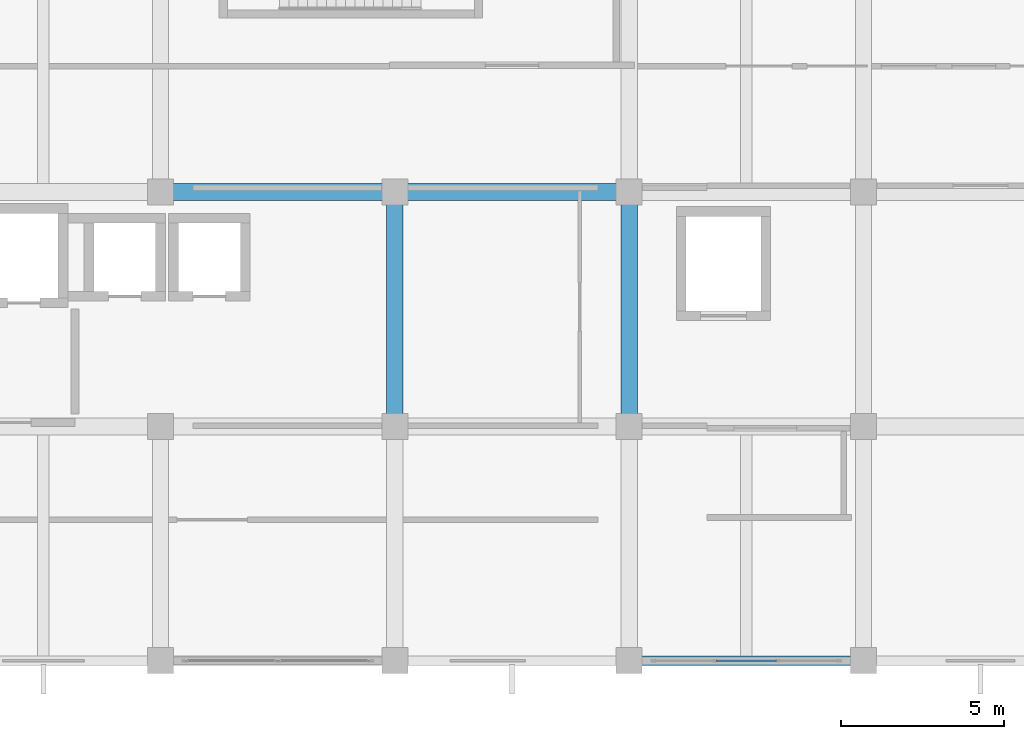
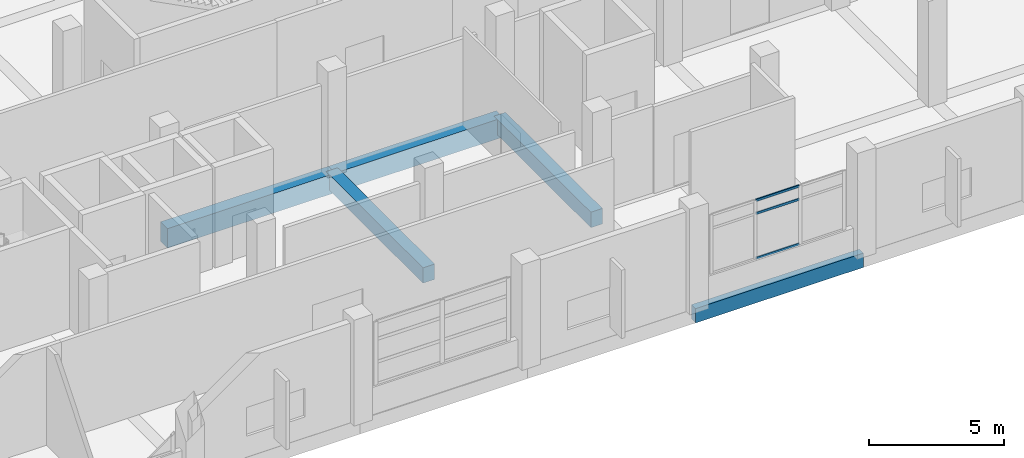
# One storey, part 35 of 140: 5 beams, 3 members, 1 element without a shape of its own.
"""IFC4 building model written with IfcOpenShell, lengths in metres."""

from ifc_helpers import new_model, si_unit, direction, frame, origin, origin_2d, place, context, subcontext, project, spatial, rectangle, hollow_rectangle, extrude, material, layer, layer_set, material_profile, profile_set, type_object, element, aggregate, save


model = new_model("IFC4")

# Units and contexts
model_context = context("Model", 3, precision=1e-05, world=origin(), true_north=direction((0.0, 1.0)))
body_context = subcontext(model_context, "Body", "Model", "MODEL_VIEW")
ifc_project = project(units=[si_unit("LENGTHUNIT", "METRE"), si_unit("AREAUNIT", "SQUARE_METRE"), si_unit("VOLUMEUNIT", "CUBIC_METRE"), si_unit("PLANEANGLEUNIT", "RADIAN"), si_unit("MASSUNIT", "GRAM", prefix="KILO")], contexts=[model_context])

# Site, building, storey
site_placement = place(None, origin())
site = spatial("IfcSite", under=ifc_project, at=site_placement, CompositionType="ELEMENT")
building_placement = place(site_placement, origin())
building = spatial("IfcBuilding", under=site, at=building_placement, Name="Seraya Terrace Polytechnic", CompositionType="ELEMENT")
storey_placement = place(building_placement, frame((0.0, 0.0, 9.60009765625)))
storey = spatial("IfcBuildingStorey", under=building, at=storey_placement, Name="L02", CompositionType="ELEMENT", Elevation=9.60009765625)

# Beams
ifc_material_1 = material(Name="Concrete C40/50", Category="concrete")
ifc_material_profile_1 = material_profile(ifc_material_1, rectangle(XDim=0.52001953125, YDim=0.8798828125, at=origin_2d()), Name="RC 520x880")
ifc_profile_set_1 = profile_set([ifc_material_profile_1], Name="Concrete C40/50")
beam_type_1 = type_object("IfcBeamType", Name="BM-04", PredefinedType="BEAM", material=ifc_profile_set_1)
for number, where, z_axis, x_axis, name in (
    (1, (93.60009765625, 14.39990234375, -0.440185546875), (1.0, 0.0, 0.0), (0.0, 1.0, 0.0), "Beam BM-04 L02 X (93.6..100.8, 14.4)"),
    (2, (100.800048828125, 14.39990234375, -0.440185546875), (1.0, 0.0, 0.0), (0.0, 1.0, 0.0), "Beam BM-04 L02 X (100.8..108.0, 14.4)"),
):
    element("IfcBeam", number, at=place(storey_placement, frame(where, z_axis=z_axis, x_axis=x_axis)), inside=storey, type_object=beam_type_1, Name=name, PredefinedType="BEAM", context=body_context, shape_type="SweptSolid", body=[
        extrude(rectangle(XDim=0.52001953125, YDim=0.8798828125, at=origin_2d()), origin(), (0.0, 0.0, 1.0), 7.199951171875),
    ])
ifc_material_profile_2 = material_profile(ifc_material_1, rectangle(XDim=0.5, YDim=0.699951171875, at=origin_2d()), Name="RC 500x700")
ifc_profile_set_2 = profile_set([ifc_material_profile_2], Name="Concrete C40/50")
beam_type_2 = type_object("IfcBeamType", Name="BM-07", PredefinedType="BEAM", material=ifc_profile_set_2)
for number, where, z_axis, x_axis, name in (
    (3, (100.800048828125, 7.199951171875, -0.35009765625), (0.0, 1.0, 0.0), (-1.0, 0.0, 0.0), "Beam BM-07 L02 Y (100.8, 7.2..14.4)"),
    (4, (108.0, 7.199951171875, -0.35009765625), (0.0, 1.0, 0.0), (-1.0, 0.0, 0.0), "Beam BM-07 L02 Y (108.0, 7.2..14.4)"),
):
    element("IfcBeam", number, at=place(storey_placement, frame(where, z_axis=z_axis, x_axis=x_axis)), inside=storey, type_object=beam_type_2, Name=name, PredefinedType="BEAM", context=body_context, shape_type="SweptSolid", body=[
        extrude(rectangle(XDim=0.5, YDim=0.699951171875, at=origin_2d()), origin(), (0.0, 0.0, 1.0), 7.199951171875),
    ])

# Curtain wall, members
ifc_material_2 = material(Name="Anodised aluminium EN AW-6063 T6", Category="aluminium")
ifc_layer = layer(ifc_material_2, 0.179931640625, Name="CW-36")
ifc_layer_set = layer_set([ifc_layer], Name="Anodised aluminium EN AW-6063 T6")
curtain_wall_type = type_object("IfcCurtainWallType", Name="CW-36", PredefinedType="NOTDEFINED", material=ifc_layer_set)
curtain_wall_placement = place(storey_placement, origin())
curtain_wall = element("IfcCurtainWall", 5, at=curtain_wall_placement, inside=storey, type_object=curtain_wall_type, Name="Unitised curtain wall CW-36 (CW-L02-072)", PredefinedType="NOTDEFINED")
ifc_material_profile_3 = material_profile(ifc_material_2, hollow_rectangle(XDim=0.054931640625, YDim=0.10009765625, WallThickness=0.0029296875, at=origin_2d()), Name="RHS 100x55x3.0")
ifc_profile_set_3 = profile_set([ifc_material_profile_3], Name="Anodised aluminium EN AW-6063 T6")
member_type = type_object("IfcMemberType", Name="CWT-03", PredefinedType="USERDEFINED", material=ifc_profile_set_3)
member_1_placement = place(storey_placement, frame((112.530029296875, 0.0, 1.267333984375), z_axis=(-1.0, 0.0, 0.0), x_axis=(0.0, -1.0, 0.0)))
member_1 = element("IfcMember", 6, at=member_1_placement, type_object=member_type, Name="CW-36 transom 2.1", ObjectType="TRANSOM", PredefinedType="USERDEFINED", context=body_context, shape_type="SweptSolid", body=[
    extrude(hollow_rectangle(XDim=0.054931640625, YDim=0.10009765625, WallThickness=0.0029296875, at=origin_2d()), origin(), (0.0, 0.0, 1.0), 1.860107421875),
])
member_2_placement = place(storey_placement, frame((112.530029296875, 0.0, 3.2998046875), z_axis=(-1.0, 0.0, 0.0), x_axis=(0.0, -1.0, 0.0)))
member_2 = element("IfcMember", 7, at=member_2_placement, type_object=member_type, Name="CW-36 transom 2.2", ObjectType="TRANSOM", PredefinedType="USERDEFINED", context=body_context, shape_type="SweptSolid", body=[
    extrude(hollow_rectangle(XDim=0.054931640625, YDim=0.10009765625, WallThickness=0.0029296875, at=origin_2d()), origin(), (0.0, 0.0, 1.0), 1.860107421875),
])
member_3_placement = place(storey_placement, frame((112.530029296875, 0.0, 3.892333984375), z_axis=(-1.0, 0.0, 0.0), x_axis=(0.0, -1.0, 0.0)))
member_3 = element("IfcMember", 8, at=member_3_placement, type_object=member_type, Name="CW-36 transom 2.3", ObjectType="TRANSOM", PredefinedType="USERDEFINED", context=body_context, shape_type="SweptSolid", body=[
    extrude(hollow_rectangle(XDim=0.054931640625, YDim=0.10009765625, WallThickness=0.0029296875, at=origin_2d()), origin(), (0.0, 0.0, 1.0), 1.860107421875),
])
aggregate(curtain_wall, [member_1, member_2, member_3])

# Beam
ifc_material_profile_4 = material_profile(ifc_material_1, rectangle(XDim=0.300048828125, YDim=0.64990234375, at=origin_2d()), Name="RC 300x650")
ifc_profile_set_4 = profile_set([ifc_material_profile_4], Name="Concrete C40/50")
beam_type_3 = type_object("IfcBeamType", Name="SP-01", PredefinedType="SPANDREL", material=ifc_profile_set_4)
beam_placement = place(storey_placement, frame((108.0, 0.0, -0.3251953125), z_axis=(1.0, 0.0, 0.0), x_axis=(0.0, 1.0, 0.0)))
element("IfcBeam", 9, at=beam_placement, inside=storey, type_object=beam_type_3, Name="Beam SP-01 L02 X (108.0..115.2, 0.0)", PredefinedType="SPANDREL", context=body_context, shape_type="SweptSolid", body=[
    extrude(rectangle(XDim=0.300048828125, YDim=0.64990234375, at=origin_2d()), origin(), (0.0, 0.0, 1.0), 7.199951171875),
])

save(model, "model.ifc")
